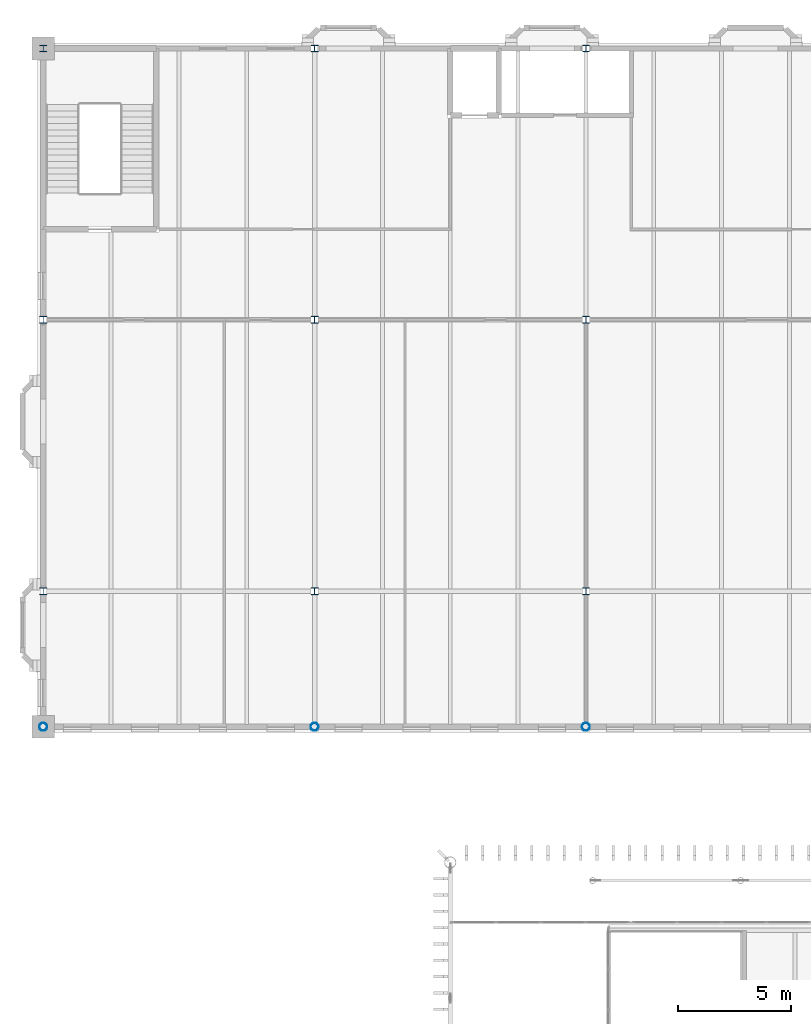
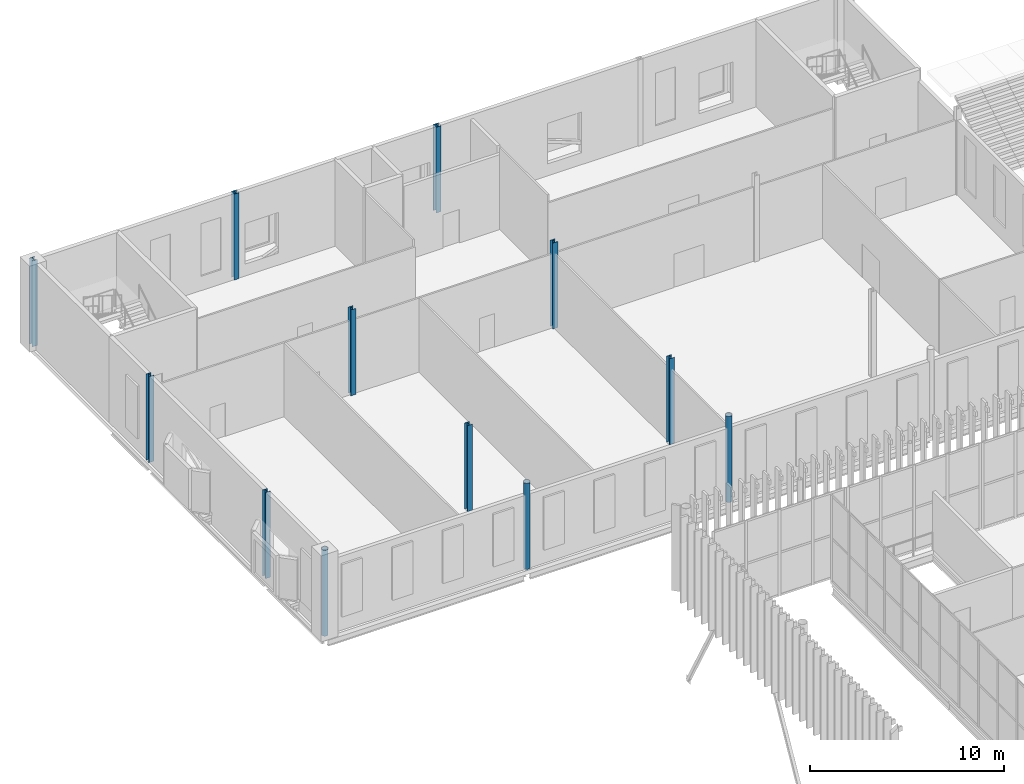
# One storey, part 24 of 170: 12 columns.
"""IFC4 building model written with IfcOpenShell, lengths in metres."""

from ifc_helpers import new_model, si_unit, direction, frame, origin, origin_2d, place, context, subcontext, project, spatial, hollow_circle, i_section, extrude, material, material_profile, profile_set, type_object, element, save


model = new_model("IFC4")

# Units and contexts
model_context = context("Model", 3, precision=1e-05, world=origin(), true_north=direction((0.0, 1.0)))
body_context = subcontext(model_context, "Body", "Model", "MODEL_VIEW")
ifc_project = project(units=[si_unit("LENGTHUNIT", "METRE"), si_unit("AREAUNIT", "SQUARE_METRE"), si_unit("VOLUMEUNIT", "CUBIC_METRE"), si_unit("PLANEANGLEUNIT", "RADIAN"), si_unit("MASSUNIT", "GRAM", prefix="KILO")], contexts=[model_context])

# Site, building, storey
site_placement = place(None, origin())
site = spatial("IfcSite", under=ifc_project, at=site_placement, CompositionType="ELEMENT")
building_placement = place(site_placement, origin())
building = spatial("IfcBuilding", under=site, at=building_placement, Name="Ravi Spectrum Wholesale Market", CompositionType="ELEMENT")
storey_placement = place(building_placement, frame((0.0, 0.0, 5.39990234375)))
storey = spatial("IfcBuildingStorey", under=building, at=storey_placement, Name="L01", CompositionType="ELEMENT", Elevation=5.39990234375)

# Columns
ifc_material_1 = material(Name="Steel S355", Category="steel")
ifc_material_profile_1 = material_profile(ifc_material_1, hollow_circle(Radius=0.177734375, WallThickness=0.012451171875, at=origin_2d()))
ifc_profile_set_1 = profile_set([ifc_material_profile_1], Name="Steel S355")
column_type_1 = type_object("IfcColumnType", Name="CHS 355.6x12.5 column", PredefinedType="COLUMN", material=ifc_profile_set_1)
for number, where, z_axis, x_axis, name in (
    (1, (12.0, 204.0, 0.0), (0.0, 0.0, 1.0), (1.0, 0.0, 0.0), "OF-COL-L01-016"),
    (2, (24.0, 204.0, 0.0), (0.0, 0.0, 1.0), (1.0, 0.0, 0.0), "OF-COL-L01-017"),
    (3, (36.0, 204.0, 0.0), (0.0, 0.0, 1.0), (1.0, 0.0, 0.0), "OF-COL-L01-018"),
):
    element("IfcColumn", number, at=place(storey_placement, frame(where, z_axis=z_axis, x_axis=x_axis)), inside=storey, type_object=column_type_1, Name=name, PredefinedType="COLUMN", context=body_context, shape_type="SweptSolid", body=[
        extrude(hollow_circle(Radius=0.177734375, WallThickness=0.012451171875, at=origin_2d()), origin(), (0.0, 0.0, 1.0), 5.400146484375),
    ])
ifc_material_2 = material(Name="Steel S355", Category="steel")
ifc_material_profile_2 = material_profile(ifc_material_2, i_section(OverallWidth=0.300048828125, OverallDepth=0.300048828125, WebThickness=0.010986328125, FlangeThickness=0.01904296875, at=origin_2d()))
ifc_profile_set_2 = profile_set([ifc_material_profile_2], Name="Steel S355")
column_type_2 = type_object("IfcColumnType", Name="HEB 300 column", PredefinedType="COLUMN", material=ifc_profile_set_2)
for number, where, z_axis, x_axis, name in (
    (4, (12.0, 210.0, 0.0), (0.0, 0.0, 1.0), (1.0, 0.0, 0.0), "OF-COL-L01-001"),
    (5, (12.0, 222.0, 0.0), (0.0, 0.0, 1.0), (1.0, 0.0, 0.0), "OF-COL-L01-002"),
    (6, (12.0, 234.0, 0.0), (0.0, 0.0, 1.0), (1.0, 0.0, 0.0), "OF-COL-L01-003"),
    (7, (24.0, 210.0, 0.0), (0.0, 0.0, 1.0), (1.0, 0.0, 0.0), "OF-COL-L01-004"),
    (8, (24.0, 222.0, 0.0), (0.0, 0.0, 1.0), (1.0, 0.0, 0.0), "OF-COL-L01-005"),
    (9, (24.0, 234.0, 0.0), (0.0, 0.0, 1.0), (1.0, 0.0, 0.0), "OF-COL-L01-006"),
    (10, (36.0, 210.0, 0.0), (0.0, 0.0, 1.0), (1.0, 0.0, 0.0), "OF-COL-L01-007"),
    (11, (36.0, 222.0, 0.0), (0.0, 0.0, 1.0), (1.0, 0.0, 0.0), "OF-COL-L01-008"),
    (12, (36.0, 234.0, 0.0), (0.0, 0.0, 1.0), (1.0, 0.0, 0.0), "OF-COL-L01-009"),
):
    element("IfcColumn", number, at=place(storey_placement, frame(where, z_axis=z_axis, x_axis=x_axis)), inside=storey, type_object=column_type_2, Name=name, PredefinedType="COLUMN", context=body_context, shape_type="SweptSolid", body=[
        extrude(i_section(OverallWidth=0.300048828125, OverallDepth=0.300048828125, WebThickness=0.010986328125, FlangeThickness=0.01904296875, at=origin_2d()), origin(), (0.0, 0.0, 1.0), 5.400146484375),
    ])

save(model, "model.ifc")
